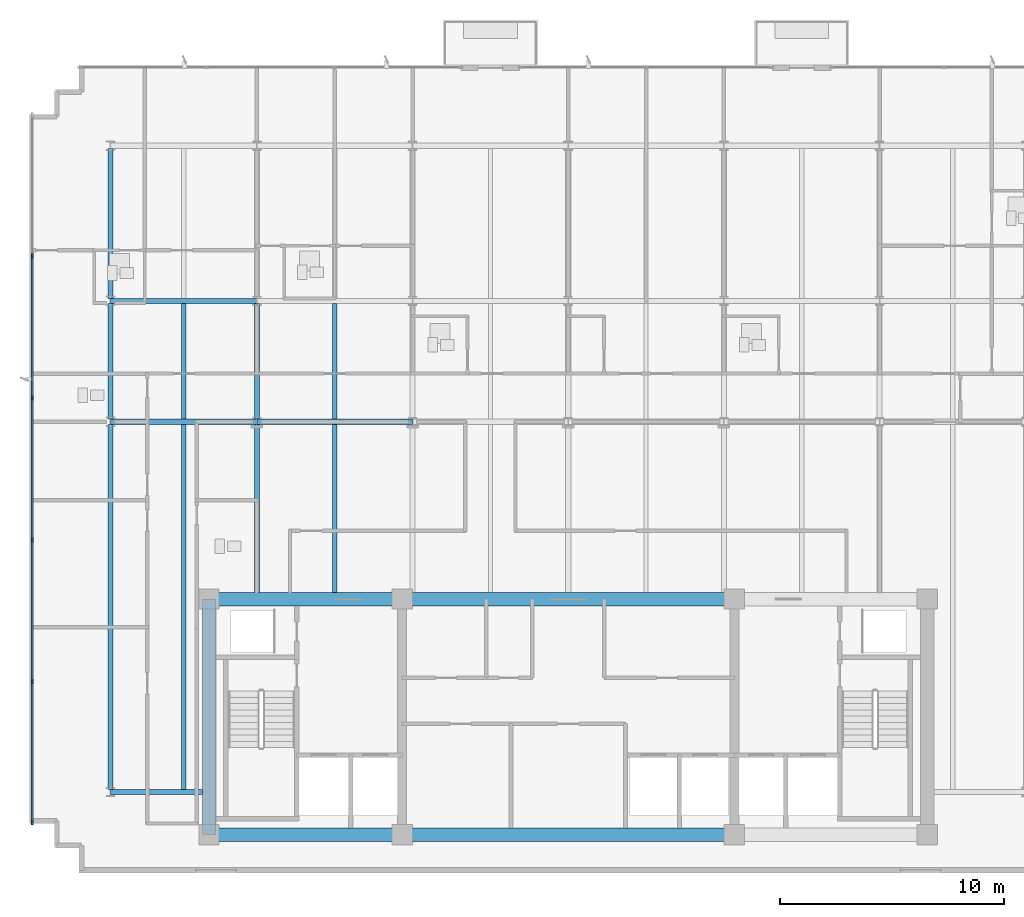
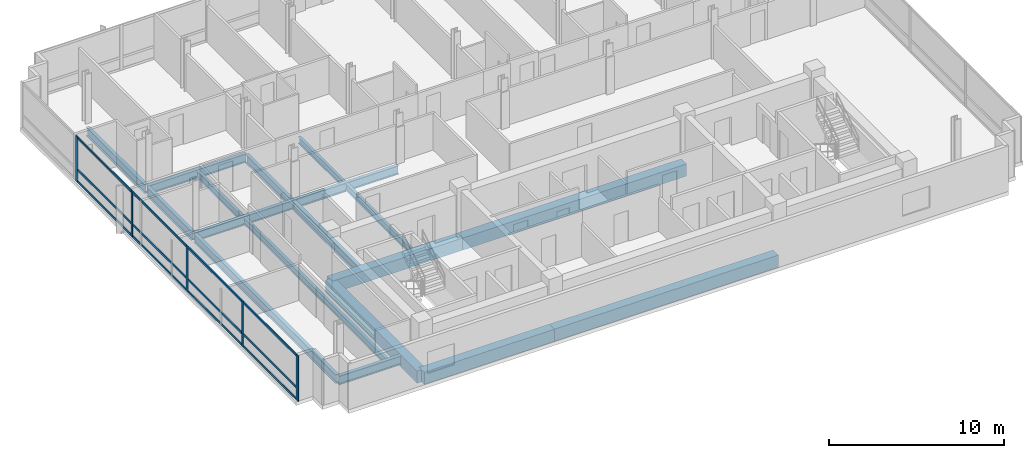
# One storey, part 2 of 14: 18 beams, 17 members, 1 element without a shape of its own.
"""IFC4 building model written with IfcOpenShell, lengths in metres."""

from ifc_helpers import new_model, si_unit, direction, frame, origin, origin_2d, place, context, subcontext, project, spatial, rectangle, i_section, extrude, material, material_profile, profile_set, type_object, element, aggregate, save


model = new_model("IFC4")

# Units and contexts
model_context = context("Model", 3, precision=1e-05, world=origin(), true_north=direction((0.0, 1.0)))
body_context = subcontext(model_context, "Body", "Model", "MODEL_VIEW")
ifc_project = project(units=[si_unit("LENGTHUNIT", "METRE"), si_unit("AREAUNIT", "SQUARE_METRE"), si_unit("VOLUMEUNIT", "CUBIC_METRE"), si_unit("PLANEANGLEUNIT", "RADIAN"), si_unit("MASSUNIT", "GRAM", prefix="KILO")], contexts=[model_context])

# Site, building, storey
site_placement = place(None, origin())
site = spatial("IfcSite", under=ifc_project, at=site_placement, CompositionType="ELEMENT")
building_placement = place(site_placement, origin())
building = spatial("IfcBuilding", under=site, at=building_placement, Name="Solmavex Isthmus Hotel", CompositionType="ELEMENT")
storey_placement = place(building_placement, frame((0.0, 0.0, 248.85009765625)))
storey = spatial("IfcBuildingStorey", under=building, at=storey_placement, Name="L67", CompositionType="ELEMENT", Elevation=248.85009765625)

# Beams
ifc_material_1 = material(Name="Steel ASTM A992 Grade 50", Category="steel")
ifc_material_profile_1 = material_profile(ifc_material_1, i_section(OverallWidth=0.1904296875, OverallDepth=0.456787109375, WebThickness=0.009033203125, FlangeThickness=0.014404296875, FilletRadius=0.0126953125, at=origin_2d()), Name="W18X50")
ifc_profile_set_1 = profile_set([ifc_material_profile_1], Name="Steel ASTM A992 Grade 50")
beam_type_1 = type_object("IfcBeamType", Name="BM-BJ-W18X50", PredefinedType="JOIST", material=ifc_profile_set_1)
beam_1_placement = place(storey_placement, frame((-17.135986328125, -10.98486328125, -0.488525390625), z_axis=(0.0, 1.0, 0.0), x_axis=(-1.0, 0.0, 0.0)))
element("IfcBeam", 1, at=beam_1_placement, inside=storey, type_object=beam_type_1, Name="Secondary Floor Joist L67-J01", PredefinedType="JOIST", context=body_context, shape_type="SweptSolid", body=[
    extrude(i_section(OverallWidth=0.1904296875, OverallDepth=0.456787109375, WebThickness=0.009033203125, FlangeThickness=0.014404296875, FilletRadius=0.0126953125, at=origin_2d()), origin(), (0.0, 0.0, 1.0), 16.27099609375),
])
beam_2_placement = place(storey_placement, frame((-17.135986328125, 5.513916015625, -0.488525390625), z_axis=(0.0, 1.0, 0.0), x_axis=(-1.0, 0.0, 0.0)))
element("IfcBeam", 2, at=beam_2_placement, inside=storey, type_object=beam_type_1, Name="Secondary Floor Joist L67-J02", PredefinedType="JOIST", context=body_context, shape_type="SweptSolid", body=[
    extrude(i_section(OverallWidth=0.1904296875, OverallDepth=0.456787109375, WebThickness=0.009033203125, FlangeThickness=0.014404296875, FilletRadius=0.0126953125, at=origin_2d()), origin(), (0.0, 0.0, 1.0), 5.16015625),
])
beam_3_placement = place(storey_placement, frame((-10.404052734375, -2.199951171875, -0.488525390625), z_axis=(0.0, 1.0, 0.0), x_axis=(-1.0, 0.0, 0.0)))
element("IfcBeam", 3, at=beam_3_placement, inside=storey, type_object=beam_type_1, Name="Secondary Floor Joist L67-J04", PredefinedType="JOIST", context=body_context, shape_type="SweptSolid", body=[
    extrude(i_section(OverallWidth=0.1904296875, OverallDepth=0.456787109375, WebThickness=0.009033203125, FlangeThickness=0.014404296875, FilletRadius=0.0126953125, at=origin_2d()), origin(), (0.0, 0.0, 1.0), 7.486083984375),
])
beam_4_placement = place(storey_placement, frame((-10.404052734375, 5.513916015625, -0.488525390625), z_axis=(0.0, 1.0, 0.0), x_axis=(-1.0, 0.0, 0.0)))
element("IfcBeam", 4, at=beam_4_placement, inside=storey, type_object=beam_type_1, Name="Secondary Floor Joist L67-J05", PredefinedType="JOIST", context=body_context, shape_type="SweptSolid", body=[
    extrude(i_section(OverallWidth=0.1904296875, OverallDepth=0.456787109375, WebThickness=0.009033203125, FlangeThickness=0.014404296875, FilletRadius=0.0126953125, at=origin_2d()), origin(), (0.0, 0.0, 1.0), 5.16015625),
])
ifc_material_profile_2 = material_profile(ifc_material_1, i_section(OverallWidth=0.227783203125, OverallDepth=0.602783203125, WebThickness=0.010498046875, FlangeThickness=0.014892578125, FilletRadius=0.01513671875, at=origin_2d()), Name="W24X68")
ifc_profile_set_2 = profile_set([ifc_material_profile_2], Name="Steel ASTM A992 Grade 50")
beam_type_2 = type_object("IfcBeamType", Name="BM-BM-W24X68", PredefinedType="BEAM", material=ifc_profile_set_2)
beam_5_placement = place(storey_placement, frame((-20.39990234375, 5.39990234375, -0.5615234375), z_axis=(1.0, 0.0, 0.0), x_axis=(0.0, 1.0, 0.0)))
element("IfcBeam", 5, at=beam_5_placement, inside=storey, type_object=beam_type_2, Name="Floor Girder L67-UG03", PredefinedType="BEAM", context=body_context, shape_type="SweptSolid", body=[
    extrude(i_section(OverallWidth=0.227783203125, OverallDepth=0.602783203125, WebThickness=0.010498046875, FlangeThickness=0.014892578125, FilletRadius=0.01513671875, at=origin_2d()), origin(), (0.0, 0.0, 1.0), 6.52783203125),
])
beam_6_placement = place(storey_placement, frame((-13.8720703125, 5.39990234375, -0.5615234375), z_axis=(1.0, 0.0, 0.0), x_axis=(0.0, 1.0, 0.0)))
element("IfcBeam", 6, at=beam_6_placement, inside=storey, type_object=beam_type_2, Name="Floor Girder L67-UG04", PredefinedType="BEAM", context=body_context, shape_type="SweptSolid", body=[
    extrude(i_section(OverallWidth=0.227783203125, OverallDepth=0.602783203125, WebThickness=0.010498046875, FlangeThickness=0.014892578125, FilletRadius=0.01513671875, at=origin_2d()), origin(), (0.0, 0.0, 1.0), 6.93603515625),
])
beam_7_placement = place(storey_placement, frame((-20.39990234375, 10.7880859375, -0.5615234375), z_axis=(1.0, 0.0, 0.0), x_axis=(0.0, 1.0, 0.0)))
element("IfcBeam", 7, at=beam_7_placement, inside=storey, type_object=beam_type_2, Name="Floor Girder L67-UG09", PredefinedType="BEAM", context=body_context, shape_type="SweptSolid", body=[
    extrude(i_section(OverallWidth=0.227783203125, OverallDepth=0.602783203125, WebThickness=0.010498046875, FlangeThickness=0.014892578125, FilletRadius=0.01513671875, at=origin_2d()), origin(), (0.0, 0.0, 1.0), 6.52783203125),
])
beam_8_placement = place(storey_placement, frame((-13.8720703125, -2.199951171875, -0.5615234375), z_axis=(0.0, 1.0, 0.0), x_axis=(-1.0, 0.0, 0.0)))
element("IfcBeam", 8, at=beam_8_placement, inside=storey, type_object=beam_type_2, Name="Floor Beam L67-VG24", PredefinedType="BEAM", context=body_context, shape_type="SweptSolid", body=[
    extrude(i_section(OverallWidth=0.227783203125, OverallDepth=0.602783203125, WebThickness=0.010498046875, FlangeThickness=0.014892578125, FilletRadius=0.01513671875, at=origin_2d()), origin(), (0.0, 0.0, 1.0), 7.486083984375),
])
beam_9_placement = place(storey_placement, frame((-13.8720703125, 5.513916015625, -0.5615234375), z_axis=(0.0, 1.0, 0.0), x_axis=(-1.0, 0.0, 0.0)))
element("IfcBeam", 9, at=beam_9_placement, inside=storey, type_object=beam_type_2, Name="Floor Beam L67-VG25", PredefinedType="BEAM", context=body_context, shape_type="SweptSolid", body=[
    extrude(i_section(OverallWidth=0.227783203125, OverallDepth=0.602783203125, WebThickness=0.010498046875, FlangeThickness=0.014892578125, FilletRadius=0.01513671875, at=origin_2d()), origin(), (0.0, 0.0, 1.0), 5.16015625),
])
ifc_material_2 = material(Name="Concrete C50/60", Category="concrete")
ifc_material_profile_3 = material_profile(ifc_material_2, rectangle(XDim=0.60009765625, YDim=0.85009765625, at=origin_2d()), Name="RC600X850")
ifc_profile_set_3 = profile_set([ifc_material_profile_3], Name="Concrete C50/60")
beam_type_3 = type_object("IfcBeamType", Name="BM-CB-600X850", PredefinedType="BEAM", material=ifc_profile_set_3)
beam_10_placement = place(storey_placement, frame((-16.0, -13.0, -0.68505859375), z_axis=(1.0, 0.0, 0.0), x_axis=(0.0, 1.0, 0.0)))
element("IfcBeam", 10, at=beam_10_placement, inside=storey, type_object=beam_type_3, Name="Core Coupling Beam L67-CB1", PredefinedType="BEAM", context=body_context, shape_type="SweptSolid", body=[
    extrude(rectangle(XDim=0.60009765625, YDim=0.85009765625, at=origin_2d()), origin(), (0.0, 0.0, 1.0), 8.60009765625),
])
beam_11_placement = place(storey_placement, frame((-7.39990234375, -13.0, -0.68505859375), z_axis=(1.0, 0.0, 0.0), x_axis=(0.0, 1.0, 0.0)))
element("IfcBeam", 11, at=beam_11_placement, inside=storey, type_object=beam_type_3, Name="Core Coupling Beam L67-CB2", PredefinedType="BEAM", context=body_context, shape_type="SweptSolid", body=[
    extrude(rectangle(XDim=0.60009765625, YDim=0.85009765625, at=origin_2d()), origin(), (0.0, 0.0, 1.0), 14.7998046875),
])
beam_12_placement = place(storey_placement, frame((-16.0, -2.5, -0.68505859375), z_axis=(1.0, 0.0, 0.0), x_axis=(0.0, 1.0, 0.0)))
element("IfcBeam", 12, at=beam_12_placement, inside=storey, type_object=beam_type_3, Name="Core Coupling Beam L67-CB4", PredefinedType="BEAM", context=body_context, shape_type="SweptSolid", body=[
    extrude(rectangle(XDim=0.60009765625, YDim=0.85009765625, at=origin_2d()), origin(), (0.0, 0.0, 1.0), 8.60009765625),
])
beam_13_placement = place(storey_placement, frame((-7.39990234375, -2.5, -0.68505859375), z_axis=(1.0, 0.0, 0.0), x_axis=(0.0, 1.0, 0.0)))
element("IfcBeam", 13, at=beam_13_placement, inside=storey, type_object=beam_type_3, Name="Core Coupling Beam L67-CB5", PredefinedType="BEAM", context=body_context, shape_type="SweptSolid", body=[
    extrude(rectangle(XDim=0.60009765625, YDim=0.85009765625, at=origin_2d()), origin(), (0.0, 0.0, 1.0), 14.7998046875),
])
beam_14_placement = place(storey_placement, frame((-16.0, -13.0, -0.68505859375), z_axis=(0.0, 1.0, 0.0), x_axis=(-1.0, 0.0, 0.0)))
element("IfcBeam", 14, at=beam_14_placement, inside=storey, type_object=beam_type_3, Name="Core Coupling Beam L67-CB7", PredefinedType="BEAM", context=body_context, shape_type="SweptSolid", body=[
    extrude(rectangle(XDim=0.60009765625, YDim=0.85009765625, at=origin_2d()), origin(), (0.0, 0.0, 1.0), 10.5),
])
ifc_material_profile_4 = material_profile(ifc_material_1, i_section(OverallWidth=0.230224609375, OverallDepth=0.617431640625, WebThickness=0.01318359375, FlangeThickness=0.022216796875, FilletRadius=0.01513671875, at=origin_2d()), Name="W24X94")
ifc_profile_set_4 = profile_set([ifc_material_profile_4], Name="Steel ASTM A992 Grade 50")
beam_type_4 = type_object("IfcBeamType", Name="BM-SP-W24X94", PredefinedType="SPANDREL", material=ifc_profile_set_4)
beam_15_placement = place(storey_placement, frame((-20.39990234375, -11.10009765625, -0.56884765625), z_axis=(1.0, 0.0, 0.0), x_axis=(0.0, 1.0, 0.0)))
element("IfcBeam", 15, at=beam_15_placement, inside=storey, type_object=beam_type_4, Name="Floor Girder L67-UG01", PredefinedType="SPANDREL", context=body_context, shape_type="SweptSolid", body=[
    extrude(i_section(OverallWidth=0.230224609375, OverallDepth=0.617431640625, WebThickness=0.01318359375, FlangeThickness=0.022216796875, FilletRadius=0.01513671875, at=origin_2d()), origin(), (0.0, 0.0, 1.0), 4.099853515625),
])
beam_16_placement = place(storey_placement, frame((-20.39990234375, -10.98486328125, -0.56884765625), z_axis=(0.0, 1.0, 0.0), x_axis=(-1.0, 0.0, 0.0)))
element("IfcBeam", 16, at=beam_16_placement, inside=storey, type_object=beam_type_4, Name="Floor Beam L67-VG21", PredefinedType="SPANDREL", context=body_context, shape_type="SweptSolid", body=[
    extrude(i_section(OverallWidth=0.230224609375, OverallDepth=0.617431640625, WebThickness=0.01318359375, FlangeThickness=0.022216796875, FilletRadius=0.01513671875, at=origin_2d()), origin(), (0.0, 0.0, 1.0), 16.27099609375),
])
beam_17_placement = place(storey_placement, frame((-20.39990234375, 5.513916015625, -0.56884765625), z_axis=(0.0, 1.0, 0.0), x_axis=(-1.0, 0.0, 0.0)))
element("IfcBeam", 17, at=beam_17_placement, inside=storey, type_object=beam_type_4, Name="Floor Beam L67-VG22", PredefinedType="SPANDREL", context=body_context, shape_type="SweptSolid", body=[
    extrude(i_section(OverallWidth=0.230224609375, OverallDepth=0.617431640625, WebThickness=0.01318359375, FlangeThickness=0.022216796875, FilletRadius=0.01513671875, at=origin_2d()), origin(), (0.0, 0.0, 1.0), 5.16015625),
])
beam_18_placement = place(storey_placement, frame((-20.39990234375, 10.90185546875, -0.56884765625), z_axis=(0.0, 1.0, 0.0), x_axis=(-1.0, 0.0, 0.0)))
element("IfcBeam", 18, at=beam_18_placement, inside=storey, type_object=beam_type_4, Name="Floor Beam L67-VG23", PredefinedType="SPANDREL", context=body_context, shape_type="SweptSolid", body=[
    extrude(i_section(OverallWidth=0.230224609375, OverallDepth=0.617431640625, WebThickness=0.01318359375, FlangeThickness=0.022216796875, FilletRadius=0.01513671875, at=origin_2d()), origin(), (0.0, 0.0, 1.0), 6.682861328125),
])

# Curtain wall, members
ifc_material_3 = material(Name="Aluminium alloy 6063-T6", Category="aluminium")
curtain_wall_type = type_object("IfcCurtainWallType", Name="CW-SYS-04", PredefinedType="NOTDEFINED", material=ifc_material_3)
curtain_wall_placement = place(storey_placement, origin())
curtain_wall = element("IfcCurtainWall", 19, at=curtain_wall_placement, inside=storey, type_object=curtain_wall_type, Name="Stick Curtain Wall CWL-L67-W1", PredefinedType="NOTDEFINED")
ifc_material_profile_5 = material_profile(ifc_material_3, rectangle(XDim=0.074951171875, YDim=0.199951171875, at=origin_2d()), Name="CWM-75X200")
ifc_profile_set_5 = profile_set([ifc_material_profile_5], Name="Aluminium alloy 6063-T6")
member_type_1 = type_object("IfcMemberType", Name="CW-SYS-04-MUL", PredefinedType="MULLION", material=ifc_profile_set_5)
member_1_placement = place(storey_placement, frame((-23.8798828125, -12.46240234375, 0.0), z_axis=(0.0, 0.0, 1.0), x_axis=(-1.0, 0.0, 0.0)))
member_1 = element("IfcMember", 20, at=member_1_placement, type_object=member_type_1, Name="CW-04 mullion 1", PredefinedType="MULLION", context=body_context, shape_type="SweptSolid", body=[
    extrude(rectangle(XDim=0.074951171875, YDim=0.199951171875, at=origin_2d()), origin(), (0.0, 0.0, 1.0), 3.18994140625),
])
member_2_placement = place(storey_placement, frame((-23.8798828125, -6.179931640625, 0.0), z_axis=(0.0, 0.0, 1.0), x_axis=(-1.0, 0.0, 0.0)))
member_2 = element("IfcMember", 21, at=member_2_placement, type_object=member_type_1, Name="CW-04 mullion 2", PredefinedType="MULLION", context=body_context, shape_type="SweptSolid", body=[
    extrude(rectangle(XDim=0.074951171875, YDim=0.199951171875, at=origin_2d()), origin(), (0.0, 0.0, 1.0), 3.18994140625),
])
member_3_placement = place(storey_placement, frame((-23.8798828125, 0.139892578125, 0.0), z_axis=(0.0, 0.0, 1.0), x_axis=(-1.0, 0.0, 0.0)))
member_3 = element("IfcMember", 22, at=member_3_placement, type_object=member_type_1, Name="CW-04 mullion 3", PredefinedType="MULLION", context=body_context, shape_type="SweptSolid", body=[
    extrude(rectangle(XDim=0.074951171875, YDim=0.199951171875, at=origin_2d()), origin(), (0.0, 0.0, 1.0), 3.18994140625),
])
member_4_placement = place(storey_placement, frame((-23.8798828125, 6.4599609375, 0.0), z_axis=(0.0, 0.0, 1.0), x_axis=(-1.0, 0.0, 0.0)))
member_4 = element("IfcMember", 23, at=member_4_placement, type_object=member_type_1, Name="CW-04 mullion 4", PredefinedType="MULLION", context=body_context, shape_type="SweptSolid", body=[
    extrude(rectangle(XDim=0.074951171875, YDim=0.199951171875, at=origin_2d()), origin(), (0.0, 0.0, 1.0), 3.18994140625),
])
member_5_placement = place(storey_placement, frame((-23.8798828125, 12.780029296875, 0.0), z_axis=(0.0, 0.0, 1.0), x_axis=(-1.0, 0.0, 0.0)))
member_5 = element("IfcMember", 24, at=member_5_placement, type_object=member_type_1, Name="CW-04 mullion 5", PredefinedType="MULLION", context=body_context, shape_type="SweptSolid", body=[
    extrude(rectangle(XDim=0.074951171875, YDim=0.199951171875, at=origin_2d()), origin(), (0.0, 0.0, 1.0), 3.18994140625),
])
ifc_material_profile_6 = material_profile(ifc_material_3, rectangle(XDim=0.074951171875, YDim=0.14990234375, at=origin_2d()), Name="CWT-75X150")
ifc_profile_set_6 = profile_set([ifc_material_profile_6], Name="Aluminium alloy 6063-T6")
member_type_2 = type_object("IfcMemberType", Name="CW-SYS-04-TRN", PredefinedType="USERDEFINED", material=ifc_profile_set_6)
member_6_placement = place(storey_placement, frame((-23.8798828125, -12.425048828125, 0.074951171875), z_axis=(0.0, 1.0, 0.0), x_axis=(-1.0, 0.0, 0.0)))
member_6 = element("IfcMember", 25, at=member_6_placement, type_object=member_type_2, Name="CW-04 transom 1.1", ObjectType="TRANSOM", PredefinedType="USERDEFINED", context=body_context, shape_type="SweptSolid", body=[
    extrude(rectangle(XDim=0.074951171875, YDim=0.14990234375, at=origin_2d()), origin(), (0.0, 0.0, 1.0), 6.20751953125),
])
member_7_placement = place(storey_placement, frame((-23.8798828125, -12.425048828125, 0.89990234375), z_axis=(0.0, 1.0, 0.0), x_axis=(-1.0, 0.0, 0.0)))
member_7 = element("IfcMember", 26, at=member_7_placement, type_object=member_type_2, Name="CW-04 transom 1.2", ObjectType="TRANSOM", PredefinedType="USERDEFINED", context=body_context, shape_type="SweptSolid", body=[
    extrude(rectangle(XDim=0.074951171875, YDim=0.14990234375, at=origin_2d()), origin(), (0.0, 0.0, 1.0), 6.20751953125),
])
member_8_placement = place(storey_placement, frame((-23.8798828125, -12.425048828125, 3.114990234375), z_axis=(0.0, 1.0, 0.0), x_axis=(-1.0, 0.0, 0.0)))
member_8 = element("IfcMember", 27, at=member_8_placement, type_object=member_type_2, Name="CW-04 transom 1.3", ObjectType="TRANSOM", PredefinedType="USERDEFINED", context=body_context, shape_type="SweptSolid", body=[
    extrude(rectangle(XDim=0.074951171875, YDim=0.14990234375, at=origin_2d()), origin(), (0.0, 0.0, 1.0), 6.20751953125),
])
member_9_placement = place(storey_placement, frame((-23.8798828125, -6.142578125, 0.074951171875), z_axis=(0.0, 1.0, 0.0), x_axis=(-1.0, 0.0, 0.0)))
member_9 = element("IfcMember", 28, at=member_9_placement, type_object=member_type_2, Name="CW-04 transom 2.1", ObjectType="TRANSOM", PredefinedType="USERDEFINED", context=body_context, shape_type="SweptSolid", body=[
    extrude(rectangle(XDim=0.074951171875, YDim=0.14990234375, at=origin_2d()), origin(), (0.0, 0.0, 1.0), 6.2451171875),
])
member_10_placement = place(storey_placement, frame((-23.8798828125, -6.142578125, 0.89990234375), z_axis=(0.0, 1.0, 0.0), x_axis=(-1.0, 0.0, 0.0)))
member_10 = element("IfcMember", 29, at=member_10_placement, type_object=member_type_2, Name="CW-04 transom 2.2", ObjectType="TRANSOM", PredefinedType="USERDEFINED", context=body_context, shape_type="SweptSolid", body=[
    extrude(rectangle(XDim=0.074951171875, YDim=0.14990234375, at=origin_2d()), origin(), (0.0, 0.0, 1.0), 6.2451171875),
])
member_11_placement = place(storey_placement, frame((-23.8798828125, -6.142578125, 3.114990234375), z_axis=(0.0, 1.0, 0.0), x_axis=(-1.0, 0.0, 0.0)))
member_11 = element("IfcMember", 30, at=member_11_placement, type_object=member_type_2, Name="CW-04 transom 2.3", ObjectType="TRANSOM", PredefinedType="USERDEFINED", context=body_context, shape_type="SweptSolid", body=[
    extrude(rectangle(XDim=0.074951171875, YDim=0.14990234375, at=origin_2d()), origin(), (0.0, 0.0, 1.0), 6.2451171875),
])
member_12_placement = place(storey_placement, frame((-23.8798828125, 0.177490234375, 0.074951171875), z_axis=(0.0, 1.0, 0.0), x_axis=(-1.0, 0.0, 0.0)))
member_12 = element("IfcMember", 31, at=member_12_placement, type_object=member_type_2, Name="CW-04 transom 3.1", ObjectType="TRANSOM", PredefinedType="USERDEFINED", context=body_context, shape_type="SweptSolid", body=[
    extrude(rectangle(XDim=0.074951171875, YDim=0.14990234375, at=origin_2d()), origin(), (0.0, 0.0, 1.0), 6.2451171875),
])
member_13_placement = place(storey_placement, frame((-23.8798828125, 0.177490234375, 0.89990234375), z_axis=(0.0, 1.0, 0.0), x_axis=(-1.0, 0.0, 0.0)))
member_13 = element("IfcMember", 32, at=member_13_placement, type_object=member_type_2, Name="CW-04 transom 3.2", ObjectType="TRANSOM", PredefinedType="USERDEFINED", context=body_context, shape_type="SweptSolid", body=[
    extrude(rectangle(XDim=0.074951171875, YDim=0.14990234375, at=origin_2d()), origin(), (0.0, 0.0, 1.0), 6.2451171875),
])
member_14_placement = place(storey_placement, frame((-23.8798828125, 0.177490234375, 3.114990234375), z_axis=(0.0, 1.0, 0.0), x_axis=(-1.0, 0.0, 0.0)))
member_14 = element("IfcMember", 33, at=member_14_placement, type_object=member_type_2, Name="CW-04 transom 3.3", ObjectType="TRANSOM", PredefinedType="USERDEFINED", context=body_context, shape_type="SweptSolid", body=[
    extrude(rectangle(XDim=0.074951171875, YDim=0.14990234375, at=origin_2d()), origin(), (0.0, 0.0, 1.0), 6.2451171875),
])
member_15_placement = place(storey_placement, frame((-23.8798828125, 6.49755859375, 0.074951171875), z_axis=(0.0, 1.0, 0.0), x_axis=(-1.0, 0.0, 0.0)))
member_15 = element("IfcMember", 34, at=member_15_placement, type_object=member_type_2, Name="CW-04 transom 4.1", ObjectType="TRANSOM", PredefinedType="USERDEFINED", context=body_context, shape_type="SweptSolid", body=[
    extrude(rectangle(XDim=0.074951171875, YDim=0.14990234375, at=origin_2d()), origin(), (0.0, 0.0, 1.0), 6.244873046875),
])
member_16_placement = place(storey_placement, frame((-23.8798828125, 6.49755859375, 0.89990234375), z_axis=(0.0, 1.0, 0.0), x_axis=(-1.0, 0.0, 0.0)))
member_16 = element("IfcMember", 35, at=member_16_placement, type_object=member_type_2, Name="CW-04 transom 4.2", ObjectType="TRANSOM", PredefinedType="USERDEFINED", context=body_context, shape_type="SweptSolid", body=[
    extrude(rectangle(XDim=0.074951171875, YDim=0.14990234375, at=origin_2d()), origin(), (0.0, 0.0, 1.0), 6.244873046875),
])
member_17_placement = place(storey_placement, frame((-23.8798828125, 6.49755859375, 3.114990234375), z_axis=(0.0, 1.0, 0.0), x_axis=(-1.0, 0.0, 0.0)))
member_17 = element("IfcMember", 36, at=member_17_placement, type_object=member_type_2, Name="CW-04 transom 4.3", ObjectType="TRANSOM", PredefinedType="USERDEFINED", context=body_context, shape_type="SweptSolid", body=[
    extrude(rectangle(XDim=0.074951171875, YDim=0.14990234375, at=origin_2d()), origin(), (0.0, 0.0, 1.0), 6.244873046875),
])
aggregate(curtain_wall, [member_1, member_2, member_3, member_4, member_5, member_6, member_7, member_8, member_9, member_10, member_11, member_12, member_13, member_14, member_15, member_16, member_17])

save(model, "model.ifc")
